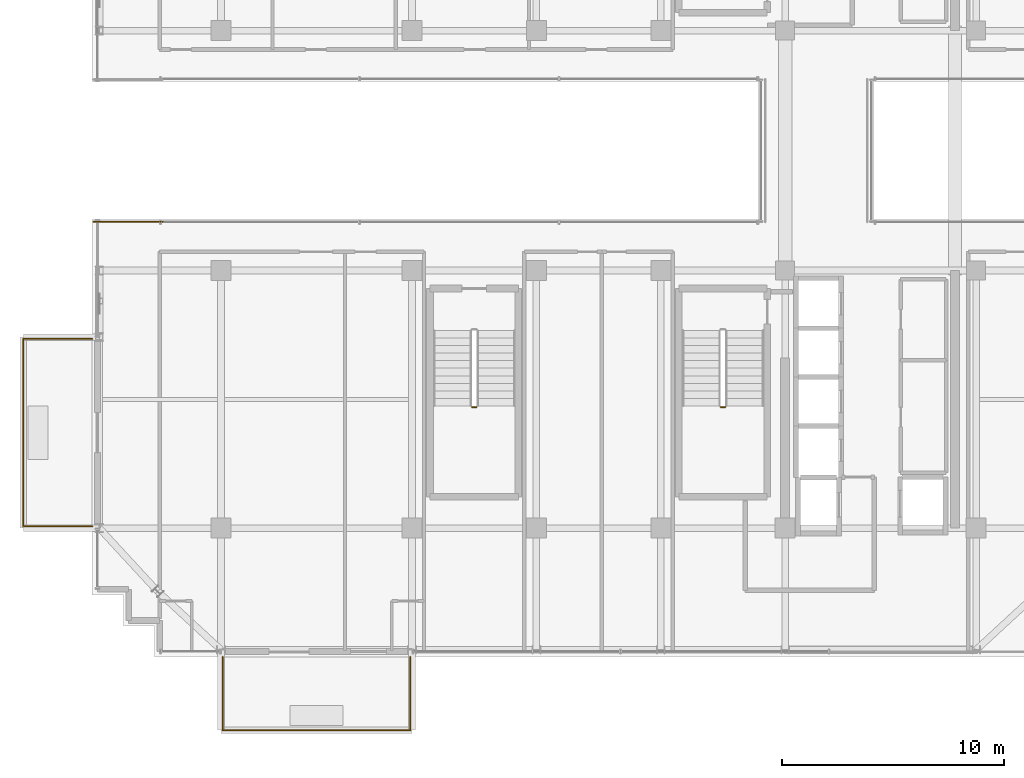
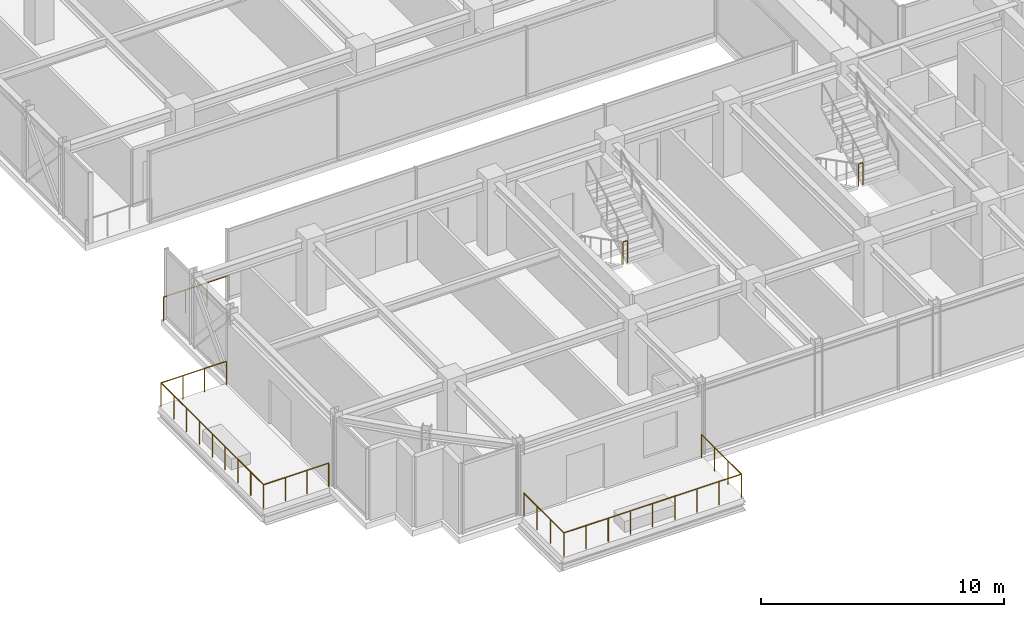
# One storey, part 34 of 37: 5 railings.
"""IFC4 building model written with IfcOpenShell, lengths in metres."""

from ifc_helpers import new_model, si_unit, direction, frame, origin, origin_2d, place, context, subcontext, project, spatial, circle, extrude, material, type_object, element, save


model = new_model("IFC4")

# Units and contexts
model_context = context("Model", 3, precision=1e-05, world=origin(), true_north=direction((0.0, 1.0)))
body_context = subcontext(model_context, "Body", "Model", "MODEL_VIEW")
ifc_project = project(units=[si_unit("LENGTHUNIT", "METRE"), si_unit("AREAUNIT", "SQUARE_METRE"), si_unit("VOLUMEUNIT", "CUBIC_METRE"), si_unit("PLANEANGLEUNIT", "RADIAN"), si_unit("MASSUNIT", "GRAM", prefix="KILO")], contexts=[model_context])

# Site, building, storey
site_placement = place(None, origin())
site = spatial("IfcSite", under=ifc_project, at=site_placement, CompositionType="ELEMENT")
building_placement = place(site_placement, origin())
building = spatial("IfcBuilding", under=site, at=building_placement, Name="Nahalor Promenade Grand Hotel", CompositionType="ELEMENT")
storey_placement = place(building_placement, frame((0.0, 0.0, 292.64990234375)))
storey = spatial("IfcBuildingStorey", under=building, at=storey_placement, Name="L75", CompositionType="ELEMENT", Elevation=292.64990234375)

# Railings
ifc_material_1 = material(Name="Anodised Bronze Aluminium EN AW-6063 T6", Category="aluminium")
railing_type_1 = type_object("IfcRailingType", Name="Bronze Balcony Guardrail 1200 mm", PredefinedType="GUARDRAIL", material=ifc_material_1)
railing_1_placement = place(storey_placement, frame((-22.739990234375, -3.199951171875, 0.0)))
element("IfcRailing", 1, at=railing_1_placement, inside=storey, type_object=railing_type_1, Name="L75 Oculus Void Edge Guardrail WS", PredefinedType="GUARDRAIL", context=body_context, shape_type="SweptSolid", body=[
    extrude(circle(Radius=0.024048, at=origin_2d()), frame((0.0, 0.0, 1.17578125), z_axis=(1.0, 0.0, 0.0), x_axis=(0.0, 1.0, 0.0)), (0.0, 0.0, 1.0), 3.119873046875),
    extrude(circle(Radius=0.020996, at=origin_2d()), origin(), (0.0, 0.0, 1.0), 1.14990234375),
    extrude(circle(Radius=0.020996, at=origin_2d()), frame((1.0400390625, 0.0, 0.0)), (0.0, 0.0, 1.0), 1.14990234375),
    extrude(circle(Radius=0.020996, at=origin_2d()), frame((2.079833984375, 0.0, 0.0)), (0.0, 0.0, 1.0), 1.14990234375),
    extrude(circle(Radius=0.020996, at=origin_2d()), frame((3.119873046875, 0.0, 0.0)), (0.0, 0.0, 1.0), 1.14990234375),
])
railing_2_placement = place(storey_placement, frame((-16.919921875, -22.800048828125, 0.0)))
element("IfcRailing", 2, at=railing_2_placement, inside=storey, type_object=railing_type_1, Name="L75 Balcony Guardrail 1", PredefinedType="GUARDRAIL", context=body_context, shape_type="SweptSolid", body=[
    extrude(circle(Radius=0.024048, at=origin_2d()), frame((0.0, 0.0, 1.17578125), z_axis=(0.0, -1.0, 0.0), x_axis=(1.0, 0.0, 0.0)), (0.0, 0.0, 1.0), 3.298095703125),
    extrude(circle(Radius=0.024048, at=origin_2d()), frame((0.001953125, -3.300048828125, 1.17578125), z_axis=(1.0, 0.0, 0.0), x_axis=(0.0, 1.0, 0.0)), (0.0, 0.0, 1.0), 8.43603515625),
    extrude(circle(Radius=0.024048, at=origin_2d()), frame((8.43994140625, -3.298095703125, 1.17578125), z_axis=(0.0, 1.0, 0.0), x_axis=(-1.0, 0.0, 0.0)), (0.0, 0.0, 1.0), 3.298095703125),
    extrude(circle(Radius=0.020996, at=origin_2d()), origin(), (0.0, 0.0, 1.0), 1.14990234375),
    extrude(circle(Radius=0.020996, at=origin_2d()), frame((0.0, -1.10009765625, 0.0)), (0.0, 0.0, 1.0), 1.14990234375),
    extrude(circle(Radius=0.020996, at=origin_2d()), frame((0.0, -2.199951171875, 0.0)), (0.0, 0.0, 1.0), 1.14990234375),
    extrude(circle(Radius=0.020996, at=origin_2d()), frame((0.0, -3.300048828125, 0.0)), (0.0, 0.0, 1.0), 1.14990234375),
    extrude(circle(Radius=0.020996, at=origin_2d()), frame((1.054931640625, -3.300048828125, 0.0)), (0.0, 0.0, 1.0), 1.14990234375),
    extrude(circle(Radius=0.020996, at=origin_2d()), frame((2.10986328125, -3.300048828125, 0.0)), (0.0, 0.0, 1.0), 1.14990234375),
    extrude(circle(Radius=0.020996, at=origin_2d()), frame((3.1650390625, -3.300048828125, 0.0)), (0.0, 0.0, 1.0), 1.14990234375),
    extrude(circle(Radius=0.020996, at=origin_2d()), frame((4.219970703125, -3.300048828125, 0.0)), (0.0, 0.0, 1.0), 1.14990234375),
    extrude(circle(Radius=0.020996, at=origin_2d()), frame((5.27490234375, -3.300048828125, 0.0)), (0.0, 0.0, 1.0), 1.14990234375),
    extrude(circle(Radius=0.020996, at=origin_2d()), frame((6.330078125, -3.300048828125, 0.0)), (0.0, 0.0, 1.0), 1.14990234375),
    extrude(circle(Radius=0.020996, at=origin_2d()), frame((7.385009765625, -3.300048828125, 0.0)), (0.0, 0.0, 1.0), 1.14990234375),
    extrude(circle(Radius=0.020996, at=origin_2d()), frame((8.43994140625, -3.300048828125, 0.0)), (0.0, 0.0, 1.0), 1.14990234375),
    extrude(circle(Radius=0.020996, at=origin_2d()), frame((8.43994140625, -2.199951171875, 0.0)), (0.0, 0.0, 1.0), 1.14990234375),
    extrude(circle(Radius=0.020996, at=origin_2d()), frame((8.43994140625, -1.10009765625, 0.0)), (0.0, 0.0, 1.0), 1.14990234375),
    extrude(circle(Radius=0.020996, at=origin_2d()), frame((8.43994140625, 0.0, 0.0)), (0.0, 0.0, 1.0), 1.14990234375),
])
railing_3_placement = place(storey_placement, frame((-22.800048828125, -16.919921875, 0.0)))
element("IfcRailing", 3, at=railing_3_placement, inside=storey, type_object=railing_type_1, Name="L75 Balcony Guardrail 2", PredefinedType="GUARDRAIL", context=body_context, shape_type="SweptSolid", body=[
    extrude(circle(Radius=0.024048, at=origin_2d()), frame((0.0, 0.0, 1.17578125), z_axis=(-1.0, 0.0, 0.0), x_axis=(0.0, -1.0, 0.0)), (0.0, 0.0, 1.0), 3.097900390625),
    extrude(circle(Radius=0.024048, at=origin_2d()), frame((-3.099853515625, 0.001953125, 1.17578125), z_axis=(0.0, 1.0, 0.0), x_axis=(-1.0, 0.0, 0.0)), (0.0, 0.0, 1.0), 8.43603515625),
    extrude(circle(Radius=0.024048, at=origin_2d()), frame((-3.097900390625, 8.43994140625, 1.17578125), z_axis=(1.0, 0.0, 0.0), x_axis=(0.0, 1.0, 0.0)), (0.0, 0.0, 1.0), 3.097900390625),
    extrude(circle(Radius=0.020996, at=origin_2d()), origin(), (0.0, 0.0, 1.0), 1.14990234375),
    extrude(circle(Radius=0.020996, at=origin_2d()), frame((-1.033203125, 0.0, 0.0)), (0.0, 0.0, 1.0), 1.14990234375),
    extrude(circle(Radius=0.020996, at=origin_2d()), frame((-2.066650390625, 0.0, 0.0)), (0.0, 0.0, 1.0), 1.14990234375),
    extrude(circle(Radius=0.020996, at=origin_2d()), frame((-3.099853515625, 0.0, 0.0)), (0.0, 0.0, 1.0), 1.14990234375),
    extrude(circle(Radius=0.020996, at=origin_2d()), frame((-3.099853515625, 1.054931640625, 0.0)), (0.0, 0.0, 1.0), 1.14990234375),
    extrude(circle(Radius=0.020996, at=origin_2d()), frame((-3.099853515625, 2.10986328125, 0.0)), (0.0, 0.0, 1.0), 1.14990234375),
    extrude(circle(Radius=0.020996, at=origin_2d()), frame((-3.099853515625, 3.1650390625, 0.0)), (0.0, 0.0, 1.0), 1.14990234375),
    extrude(circle(Radius=0.020996, at=origin_2d()), frame((-3.099853515625, 4.219970703125, 0.0)), (0.0, 0.0, 1.0), 1.14990234375),
    extrude(circle(Radius=0.020996, at=origin_2d()), frame((-3.099853515625, 5.27490234375, 0.0)), (0.0, 0.0, 1.0), 1.14990234375),
    extrude(circle(Radius=0.020996, at=origin_2d()), frame((-3.099853515625, 6.330078125, 0.0)), (0.0, 0.0, 1.0), 1.14990234375),
    extrude(circle(Radius=0.020996, at=origin_2d()), frame((-3.099853515625, 7.385009765625, 0.0)), (0.0, 0.0, 1.0), 1.14990234375),
    extrude(circle(Radius=0.020996, at=origin_2d()), frame((-3.099853515625, 8.43994140625, 0.0)), (0.0, 0.0, 1.0), 1.14990234375),
    extrude(circle(Radius=0.020996, at=origin_2d()), frame((-2.066650390625, 8.43994140625, 0.0)), (0.0, 0.0, 1.0), 1.14990234375),
    extrude(circle(Radius=0.020996, at=origin_2d()), frame((-1.033203125, 8.43994140625, 0.0)), (0.0, 0.0, 1.0), 1.14990234375),
    extrude(circle(Radius=0.020996, at=origin_2d()), frame((0.0, 8.43994140625, 0.0)), (0.0, 0.0, 1.0), 1.14990234375),
])
ifc_material_2 = material(Name="Steel S355JR", Category="steel")
railing_type_2 = type_object("IfcRailingType", Name="Steel Stair Guardrail 1150 mm", PredefinedType="GUARDRAIL", material=ifc_material_2)
for number, where, name in (
    (4, (5.5, -11.550048828125, 1.925048828125), "L75 ST2 stair guard 2"),
    (5, (-5.699951171875, -11.550048828125, 1.925048828125), "L75 ST3 stair guard 2"),
):
    element("IfcRailing", number, at=place(storey_placement, frame(where)), inside=storey, type_object=railing_type_2, Name=name, PredefinedType="GUARDRAIL", context=body_context, shape_type="SweptSolid", body=[
        extrude(circle(Radius=0.024048, at=origin_2d()), frame((0.0, 0.0, 1.1259765625), z_axis=(1.0, 0.0, 0.0), x_axis=(0.0, 1.0, 0.0)), (0.0, 0.0, 1.0), 0.199951171875),
        extrude(circle(Radius=0.020996, at=origin_2d()), origin(), (0.0, 0.0, 1.0), 1.099853515625),
        extrude(circle(Radius=0.020996, at=origin_2d()), frame((0.199951171875, 0.0, 0.0)), (0.0, 0.0, 1.0), 1.099853515625),
    ])

save(model, "model.ifc")
